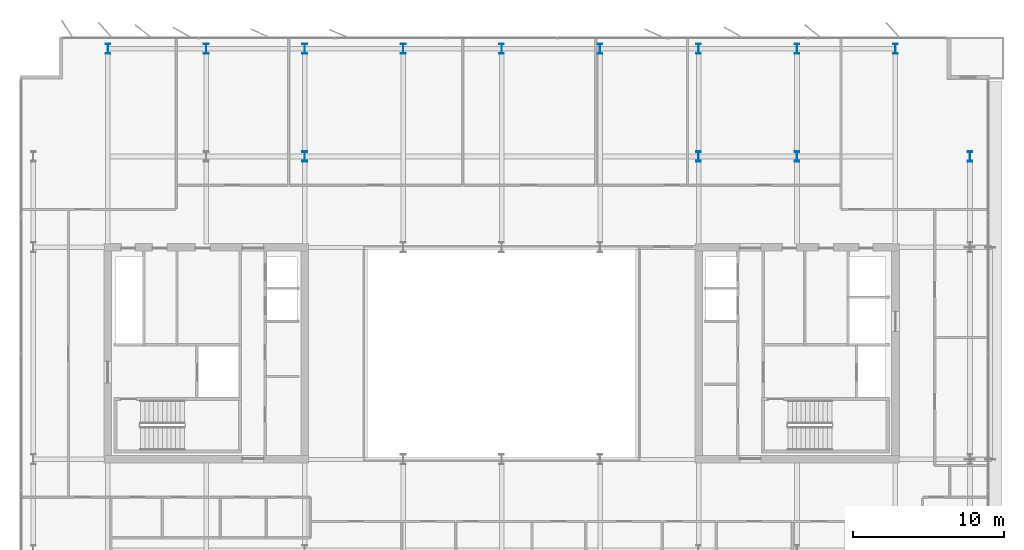
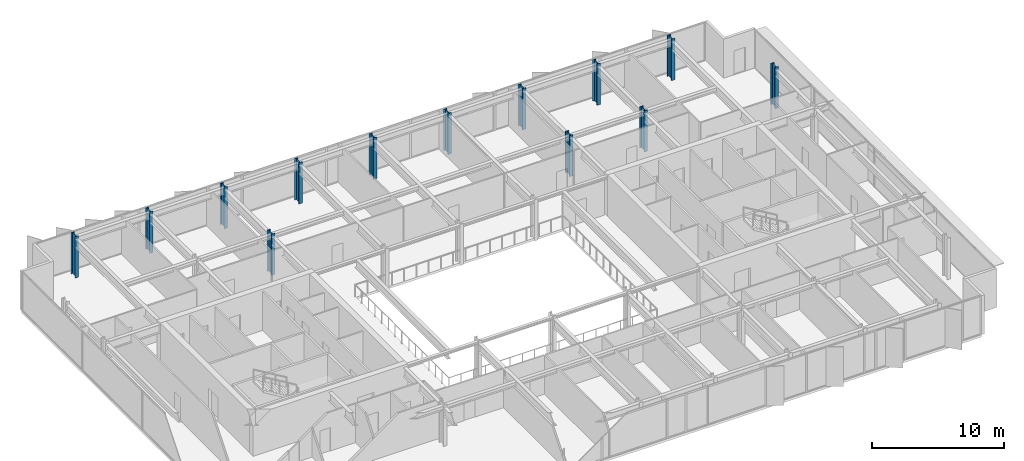
# One storey, part 3 of 19: 13 columns.
"""IFC4 building model written with IfcOpenShell, lengths in metres."""

from ifc_helpers import new_model, si_unit, direction, frame, origin, origin_2d, place, context, subcontext, project, spatial, i_section, extrude, material, material_profile, profile_set, type_object, element, save


model = new_model("IFC4")

# Units and contexts
model_context = context("Model", 3, precision=1e-05, world=origin(), true_north=direction((0.0, 1.0)))
body_context = subcontext(model_context, "Body", "Model", "MODEL_VIEW")
ifc_project = project(units=[si_unit("LENGTHUNIT", "METRE"), si_unit("AREAUNIT", "SQUARE_METRE"), si_unit("VOLUMEUNIT", "CUBIC_METRE"), si_unit("PLANEANGLEUNIT", "RADIAN"), si_unit("MASSUNIT", "GRAM", prefix="KILO")], contexts=[model_context])

# Site, building, storey
site_placement = place(None, origin())
site = spatial("IfcSite", under=ifc_project, at=site_placement, CompositionType="ELEMENT")
building_placement = place(site_placement, origin())
building = spatial("IfcBuilding", under=site, at=building_placement, Name="Putna Gate Headquarters", CompositionType="ELEMENT")
storey_placement = place(building_placement, frame((0.0, 0.0, 267.0)))
storey = spatial("IfcBuildingStorey", under=building, at=storey_placement, Name="L67", CompositionType="ELEMENT", Elevation=267.0)

# Columns
ifc_material = material(Name="Steel S460M", Category="steel")
ifc_material_profile_1 = material_profile(ifc_material, i_section(OverallWidth=0.304931640625, OverallDepth=0.66796875, WebThickness=0.02099609375, FlangeThickness=0.0400390625, at=origin_2d()), Name="Steel S460M")
ifc_profile_set_1 = profile_set([ifc_material_profile_1], Name="Steel S460M")
column_type_1 = type_object("IfcColumnType", Name="COL-STL-HEM650-EXT", PredefinedType="COLUMN", material=ifc_profile_set_1)
for number, where, z_axis, x_axis, name in (
    (1, (13.0, 46.1201171875, 0.0), (0.0, 0.0, 1.0), (1.0, 0.0, 0.0), "L67 Column CP-N13"),
    (2, (19.5, 46.1201171875, 0.0), (0.0, 0.0, 1.0), (1.0, 0.0, 0.0), "L67 Column CP-N19"),
    (3, (26.0, 46.1201171875, 0.0), (0.0, 0.0, 1.0), (1.0, 0.0, 0.0), "L67 Column CP-N26"),
    (4, (32.5, 46.1201171875, 0.0), (0.0, 0.0, 1.0), (1.0, 0.0, 0.0), "L67 Column CP-N32"),
    (5, (39.0, 46.1201171875, 0.0), (0.0, 0.0, 1.0), (1.0, 0.0, 0.0), "L67 Column CP-N39"),
    (6, (45.5, 46.1201171875, 0.0), (0.0, 0.0, 1.0), (1.0, 0.0, 0.0), "L67 Column CP-N45"),
    (7, (52.0, 46.1201171875, 0.0), (0.0, 0.0, 1.0), (1.0, 0.0, 0.0), "L67 Column CP-N52"),
    (8, (58.5, 46.1201171875, 0.0), (0.0, 0.0, 1.0), (1.0, 0.0, 0.0), "L67 Column CP-N58"),
    (9, (65.0, 46.1201171875, 0.0), (0.0, 0.0, 1.0), (1.0, 0.0, 0.0), "L67 Column CP-N65"),
    (10, (69.919921875, 39.0, 0.0), (0.0, 0.0, 1.0), (1.0, 0.0, 0.0), "L67 Column CP-E39"),
):
    element("IfcColumn", number, at=place(storey_placement, frame(where, z_axis=z_axis, x_axis=x_axis)), inside=storey, type_object=column_type_1, Name=name, PredefinedType="COLUMN", context=body_context, shape_type="SweptSolid", body=[
        extrude(i_section(OverallWidth=0.304931640625, OverallDepth=0.66796875, WebThickness=0.02099609375, FlangeThickness=0.0400390625, at=origin_2d()), origin(), (0.0, 0.0, 1.0), 3.800048828125),
    ])
ifc_material_profile_2 = material_profile(ifc_material, i_section(OverallWidth=0.304931640625, OverallDepth=0.66796875, WebThickness=0.02099609375, FlangeThickness=0.0400390625, at=origin_2d()), Name="Steel S460M")
ifc_profile_set_2 = profile_set([ifc_material_profile_2], Name="Steel S460M")
column_type_2 = type_object("IfcColumnType", Name="COL-STL-HEM650-INT", PredefinedType="COLUMN", material=ifc_profile_set_2)
for number, where, z_axis, x_axis, name in (
    (11, (58.5, 39.0, 0.0), (0.0, 0.0, 1.0), (1.0, 0.0, 0.0), "L67 Column CSI-EN"),
    (12, (26.0, 39.0, 0.0), (0.0, 0.0, 1.0), (1.0, 0.0, 0.0), "L67 Column CAP-WN"),
    (13, (52.0, 39.0, 0.0), (0.0, 0.0, 1.0), (1.0, 0.0, 0.0), "L67 Column CAP-EN"),
):
    element("IfcColumn", number, at=place(storey_placement, frame(where, z_axis=z_axis, x_axis=x_axis)), inside=storey, type_object=column_type_2, Name=name, PredefinedType="COLUMN", context=body_context, shape_type="SweptSolid", body=[
        extrude(i_section(OverallWidth=0.304931640625, OverallDepth=0.66796875, WebThickness=0.02099609375, FlangeThickness=0.0400390625, at=origin_2d()), origin(), (0.0, 0.0, 1.0), 3.800048828125),
    ])

save(model, "model.ifc")
